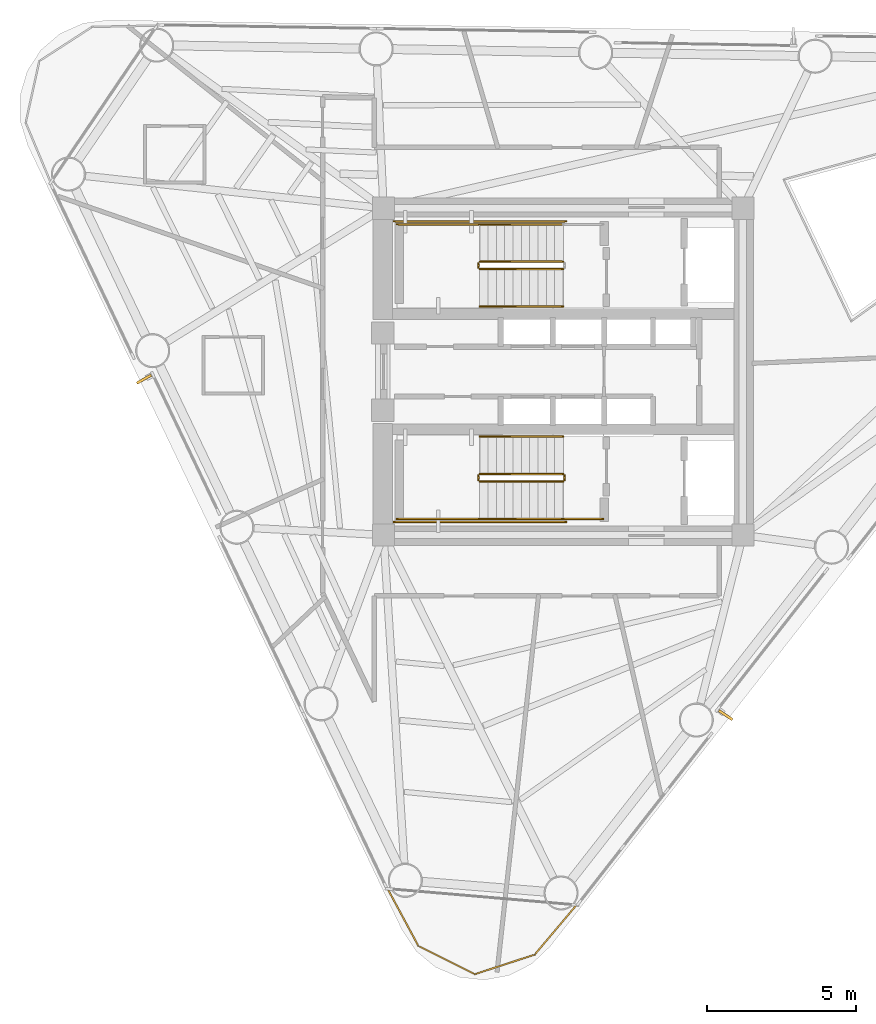
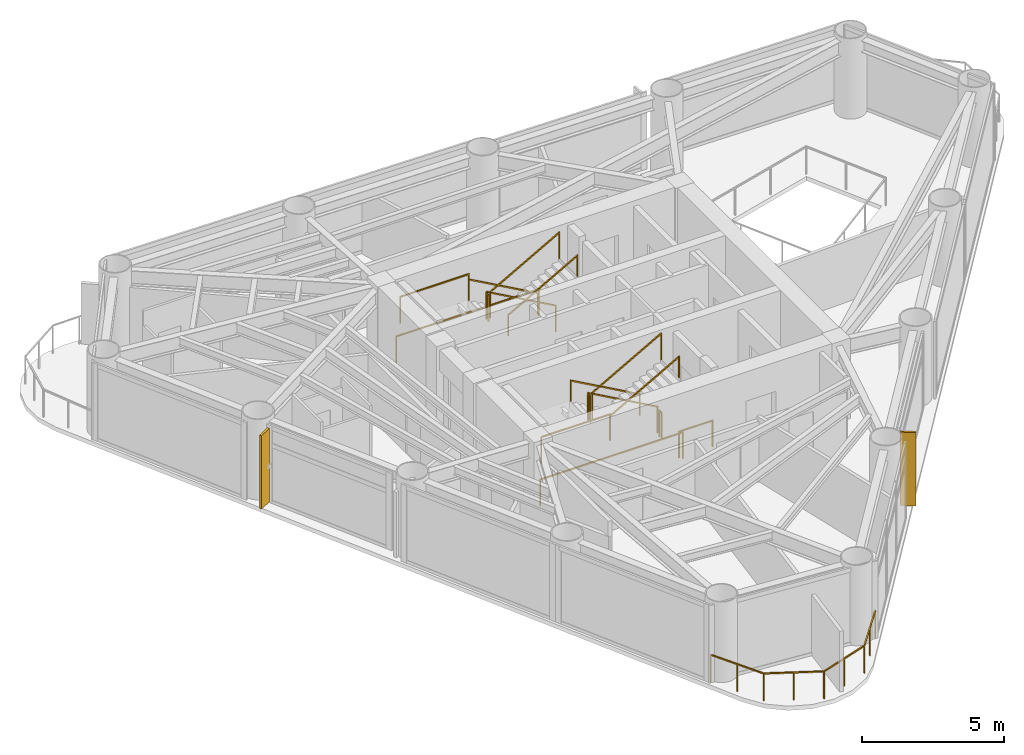
# One storey, part 7 of 9: 17 railings, 2 shading devices.
"""IFC4 building model written with IfcOpenShell, lengths in metres."""

from ifc_helpers import new_model, si_unit, direction, frame, origin, origin_2d, place, context, subcontext, project, spatial, rectangle, extrude, source, transform, mapped, material, material_profile, profile_set, type_object, element, save


model = new_model("IFC4")

# Units and contexts
model_context = context("Model", 3, precision=1e-05, world=origin(), true_north=direction((0.0, 1.0)))
body_context = subcontext(model_context, "Body", "Model", "MODEL_VIEW")
ifc_project = project(units=[si_unit("LENGTHUNIT", "METRE"), si_unit("AREAUNIT", "SQUARE_METRE"), si_unit("VOLUMEUNIT", "CUBIC_METRE"), si_unit("PLANEANGLEUNIT", "RADIAN"), si_unit("MASSUNIT", "GRAM", prefix="KILO")], contexts=[model_context])

# Site, building, storey
site_placement = place(None, origin())
site = spatial("IfcSite", under=ifc_project, at=site_placement, CompositionType="ELEMENT")
building_placement = place(site_placement, origin())
building = spatial("IfcBuilding", under=site, at=building_placement, Name="Yunling Apex Tower", CompositionType="ELEMENT")
storey_placement = place(building_placement, frame((0.0, 0.0, 205.25)))
storey = spatial("IfcBuildingStorey", under=building, at=storey_placement, Name="L50", CompositionType="ELEMENT", Elevation=205.25)

# Railings
ifc_material_1 = material(Name="Bronze anodised aluminium", Category="aluminium")
railing_type_1 = type_object("IfcRailingType", Name="RL-BAL-1200", PredefinedType="BALUSTRADE", material=ifc_material_1)
railing_1_placement = place(storey_placement, frame((0.4462890625, -17.9599609375, 0.0)))
element("IfcRailing", 1, at=railing_1_placement, inside=storey, type_object=railing_type_1, Name="RL-CRNSILL-L50-3", PredefinedType="BALUSTRADE", context=body_context, shape_type="SweptSolid", body=[
    extrude(rectangle(XDim=0.0439453125, YDim=0.0439453125, at=origin_2d()), origin(), (0.0, 0.0, 1.0), 1.199951171875),
    extrude(rectangle(XDim=0.0439453125, YDim=0.0439453125, at=origin_2d()), frame((-1.408447265625, -1.669189453125, 0.0)), (0.0, 0.0, 1.0), 1.199951171875),
    extrude(rectangle(XDim=0.050048828125, YDim=0.050048828125, at=origin_2d()), frame((-0.024658203125, -0.029296875, 1.1748046875), z_axis=(-0.644889304204, -0.764275987666, 0.0), x_axis=(0.764275987666, -0.644889304204, 0.0)), (0.0, 0.0, 1.0), 2.107421875),
    extrude(rectangle(XDim=0.0439453125, YDim=0.0439453125, at=origin_2d()), frame((-0.7041015625, -0.83447265625, 0.0)), (0.0, 0.0, 1.0), 1.14599609375),
    extrude(rectangle(XDim=0.0439453125, YDim=0.0439453125, at=origin_2d()), frame((-3.421875, -2.326416015625, 0.0)), (0.0, 0.0, 1.0), 1.199951171875),
    extrude(rectangle(XDim=0.050048828125, YDim=0.050048828125, at=origin_2d()), frame((-1.44482421875, -1.68115234375, 1.1748046875), z_axis=(-0.950635994022, -0.310308244926, 0.0), x_axis=(0.310308244926, -0.950635994022, 0.0)), (0.0, 0.0, 1.0), 2.041259765625),
    extrude(rectangle(XDim=0.0439453125, YDim=0.0439453125, at=origin_2d()), frame((-2.4150390625, -1.997802734375, 0.0)), (0.0, 0.0, 1.0), 1.14599609375),
    extrude(rectangle(XDim=0.0439453125, YDim=0.0439453125, at=origin_2d()), frame((-5.32275390625, -1.376708984375, 0.0)), (0.0, 0.0, 1.0), 1.199951171875),
    extrude(rectangle(XDim=0.050048828125, YDim=0.050048828125, at=origin_2d()), frame((-3.4560546875, -2.309326171875, 1.1748046875), z_axis=(-0.894565021347, 0.446937828543, 0.0), x_axis=(-0.446937828543, -0.894565021347, 0.0)), (0.0, 0.0, 1.0), 2.04833984375),
    extrude(rectangle(XDim=0.0439453125, YDim=0.0439453125, at=origin_2d()), frame((-4.372314453125, -1.8515625, 0.0)), (0.0, 0.0, 1.0), 1.14599609375),
    extrude(rectangle(XDim=0.0439453125, YDim=0.0439453125, at=origin_2d()), frame((-6.35791015625, 0.545654296875, 0.0)), (0.0, 0.0, 1.0), 1.199951171875),
    extrude(rectangle(XDim=0.050048828125, YDim=0.050048828125, at=origin_2d()), frame((-5.3408203125, -1.343017578125, 1.1748046875), z_axis=(-0.474113159208, 0.880463918775, 0.0), x_axis=(-0.880463918775, -0.474113159208, 0.0)), (0.0, 0.0, 1.0), 2.106689453125),
    extrude(rectangle(XDim=0.0439453125, YDim=0.0439453125, at=origin_2d()), frame((-5.84033203125, -0.41552734375, 0.0)), (0.0, 0.0, 1.0), 1.14599609375),
])
ifc_material_2 = material(Name="Steel Q355B", Category="steel")
railing_type_2 = type_object("IfcRailingType", Name="RL-GRD-1150", PredefinedType="GUARDRAIL", material=ifc_material_2)
railing_2_placement = place(storey_placement, frame((-0.010009765625, 3.699951171875, 0.15673828125)))
element("IfcRailing", 2, at=railing_2_placement, inside=storey, type_object=railing_type_2, Name="L50 ST-1 stair guard 1", PredefinedType="GUARDRAIL", context=body_context, shape_type="SweptSolid", body=[
    extrude(rectangle(XDim=0.0439453125, YDim=0.0439453125, at=origin_2d()), origin(), (0.0, 0.0, 1.0), 1.14990234375),
    extrude(rectangle(XDim=0.0439453125, YDim=0.0439453125, at=origin_2d()), frame((-2.800048828125, 0.0, 1.568359375)), (0.0, 0.0, 1.0), 1.14990234375),
    extrude(rectangle(XDim=0.050048828125, YDim=0.050048828125, at=origin_2d()), frame((-0.033447265625, 0.0, 1.1435546875), z_axis=(-0.872461907711, 0.0, 0.488682125306), x_axis=(0.0, -1.0, 0.0)), (0.0, 0.0, 1.0), 3.1328125),
])
railing_3_placement = place(storey_placement, frame((-2.860107421875, 3.64990234375, 1.72509765625)))
element("IfcRailing", 3, at=railing_3_placement, inside=storey, type_object=railing_type_2, Name="L50 ST-1 stair guard 2", PredefinedType="GUARDRAIL", context=body_context, shape_type="SweptSolid", body=[
    extrude(rectangle(XDim=0.0439453125, YDim=0.0439453125, at=origin_2d()), origin(), (0.0, 0.0, 1.0), 1.14990234375),
    extrude(rectangle(XDim=0.0439453125, YDim=0.0439453125, at=origin_2d()), frame((0.0, -0.14990234375, 0.0)), (0.0, 0.0, 1.0), 1.14990234375),
    extrude(rectangle(XDim=0.050048828125, YDim=0.050048828125, at=origin_2d()), frame((0.0, -0.038330078125, 1.125), z_axis=(0.0, -1.0, 0.0), x_axis=(1.0, 0.0, 0.0)), (0.0, 0.0, 1.0), 0.0732421875),
])
railing_4_placement = place(storey_placement, frame((-2.81005859375, 4.9599609375, 1.72509765625)))
element("IfcRailing", 4, at=railing_4_placement, inside=storey, type_object=railing_type_2, Name="L50 ST-1 stair guard 3", PredefinedType="GUARDRAIL", context=body_context, shape_type="SweptSolid", body=[
    extrude(rectangle(XDim=0.0439453125, YDim=0.0439453125, at=origin_2d()), origin(), (0.0, 0.0, 1.0), 1.14990234375),
    extrude(rectangle(XDim=0.0439453125, YDim=0.0439453125, at=origin_2d()), frame((-2.7900390625, 0.0, 0.0)), (0.0, 0.0, 1.0), 1.14990234375),
    extrude(rectangle(XDim=0.050048828125, YDim=0.050048828125, at=origin_2d()), frame((-0.038330078125, 0.0, 1.125), z_axis=(-1.0, 0.0, 0.0), x_axis=(0.0, -1.0, 0.0)), (0.0, 0.0, 1.0), 2.71337890625),
])
railing_5_placement = place(storey_placement, frame((-2.81005859375, 3.449951171875, 1.8818359375)))
element("IfcRailing", 5, at=railing_5_placement, inside=storey, type_object=railing_type_2, Name="L50 ST-1 stair guard 4", PredefinedType="GUARDRAIL", context=body_context, shape_type="SweptSolid", body=[
    extrude(rectangle(XDim=0.0439453125, YDim=0.0439453125, at=origin_2d()), origin(), (0.0, 0.0, 1.0), 1.14990234375),
    extrude(rectangle(XDim=0.0439453125, YDim=0.0439453125, at=origin_2d()), frame((2.800048828125, 0.0, 1.568115234375)), (0.0, 0.0, 1.0), 1.14990234375),
    extrude(rectangle(XDim=0.050048828125, YDim=0.050048828125, at=origin_2d()), frame((0.033447265625, 0.0, 1.1435546875), z_axis=(0.872494340497, 0.0, 0.48862421737), x_axis=(0.0, 1.0, 0.0)), (0.0, 0.0, 1.0), 3.132568359375),
])
railing_6_placement = place(storey_placement, frame((0.090087890625, 5.06005859375, 0.0)))
element("IfcRailing", 6, at=railing_6_placement, inside=storey, type_object=railing_type_2, Name="L50 ST-1 stair guard 7", PredefinedType="GUARDRAIL", context=body_context, shape_type="SweptSolid", body=[
    extrude(rectangle(XDim=0.0439453125, YDim=0.0439453125, at=origin_2d()), origin(), (0.0, 0.0, 1.0), 1.14990234375),
    extrude(rectangle(XDim=0.0439453125, YDim=0.0439453125, at=origin_2d()), frame((-5.7900390625, 0.0, 0.0)), (0.0, 0.0, 1.0), 1.14990234375),
    extrude(rectangle(XDim=0.050048828125, YDim=0.050048828125, at=origin_2d()), frame((-0.038330078125, 0.0, 1.125), z_axis=(-1.0, 0.0, 0.0), x_axis=(0.0, -1.0, 0.0)), (0.0, 0.0, 1.0), 5.71337890625),
])
railing_7_placement = place(storey_placement, frame((-0.010009765625, -3.449951171875, 0.15673828125)))
element("IfcRailing", 7, at=railing_7_placement, inside=storey, type_object=railing_type_2, Name="L50 ST-2 stair guard 1", PredefinedType="GUARDRAIL", context=body_context, shape_type="SweptSolid", body=[
    extrude(rectangle(XDim=0.0439453125, YDim=0.0439453125, at=origin_2d()), origin(), (0.0, 0.0, 1.0), 1.14990234375),
    extrude(rectangle(XDim=0.0439453125, YDim=0.0439453125, at=origin_2d()), frame((-2.800048828125, 0.0, 1.568359375)), (0.0, 0.0, 1.0), 1.14990234375),
    extrude(rectangle(XDim=0.050048828125, YDim=0.050048828125, at=origin_2d()), frame((-0.033447265625, 0.0, 1.1435546875), z_axis=(-0.872461907711, 0.0, 0.488682125306), x_axis=(0.0, -1.0, 0.0)), (0.0, 0.0, 1.0), 3.1328125),
])
railing_8_placement = place(storey_placement, frame((-2.860107421875, -3.5, 1.72509765625)))
element("IfcRailing", 8, at=railing_8_placement, inside=storey, type_object=railing_type_2, Name="L50 ST-2 stair guard 2", PredefinedType="GUARDRAIL", context=body_context, shape_type="SweptSolid", body=[
    extrude(rectangle(XDim=0.0439453125, YDim=0.0439453125, at=origin_2d()), origin(), (0.0, 0.0, 1.0), 1.14990234375),
    extrude(rectangle(XDim=0.0439453125, YDim=0.0439453125, at=origin_2d()), frame((0.0, -0.14990234375, 0.0)), (0.0, 0.0, 1.0), 1.14990234375),
    extrude(rectangle(XDim=0.050048828125, YDim=0.050048828125, at=origin_2d()), frame((0.0, -0.038330078125, 1.125), z_axis=(0.0, -1.0, 0.0), x_axis=(1.0, 0.0, 0.0)), (0.0, 0.0, 1.0), 0.0732421875),
])
railing_9_placement = place(storey_placement, frame((-2.81005859375, -4.9599609375, 1.72509765625)))
element("IfcRailing", 9, at=railing_9_placement, inside=storey, type_object=railing_type_2, Name="L50 ST-2 stair guard 3", PredefinedType="GUARDRAIL", context=body_context, shape_type="SweptSolid", body=[
    extrude(rectangle(XDim=0.0439453125, YDim=0.0439453125, at=origin_2d()), origin(), (0.0, 0.0, 1.0), 1.14990234375),
    extrude(rectangle(XDim=0.0439453125, YDim=0.0439453125, at=origin_2d()), frame((-2.7900390625, 0.0, 0.0)), (0.0, 0.0, 1.0), 1.14990234375),
    extrude(rectangle(XDim=0.050048828125, YDim=0.050048828125, at=origin_2d()), frame((-0.038330078125, 0.0, 1.125), z_axis=(-1.0, 0.0, 0.0), x_axis=(0.0, -1.0, 0.0)), (0.0, 0.0, 1.0), 2.71337890625),
])
railing_10_placement = place(storey_placement, frame((-2.81005859375, -3.699951171875, 1.8818359375)))
element("IfcRailing", 10, at=railing_10_placement, inside=storey, type_object=railing_type_2, Name="L50 ST-2 stair guard 4", PredefinedType="GUARDRAIL", context=body_context, shape_type="SweptSolid", body=[
    extrude(rectangle(XDim=0.0439453125, YDim=0.0439453125, at=origin_2d()), origin(), (0.0, 0.0, 1.0), 1.14990234375),
    extrude(rectangle(XDim=0.0439453125, YDim=0.0439453125, at=origin_2d()), frame((2.800048828125, 0.0, 1.568115234375)), (0.0, 0.0, 1.0), 1.14990234375),
    extrude(rectangle(XDim=0.050048828125, YDim=0.050048828125, at=origin_2d()), frame((0.033447265625, 0.0, 1.1435546875), z_axis=(0.872494340497, 0.0, 0.48862421737), x_axis=(0.0, 1.0, 0.0)), (0.0, 0.0, 1.0), 3.132568359375),
])
railing_11_placement = place(storey_placement, frame((0.0400390625, -3.5, 0.0)))
element("IfcRailing", 11, at=railing_11_placement, inside=storey, type_object=railing_type_2, Name="L50 ST-2 stair guard 5", PredefinedType="GUARDRAIL", context=body_context, shape_type="SweptSolid", body=[
    extrude(rectangle(XDim=0.0439453125, YDim=0.0439453125, at=origin_2d()), origin(), (0.0, 0.0, 1.0), 1.14990234375),
    extrude(rectangle(XDim=0.0439453125, YDim=0.0439453125, at=origin_2d()), frame((0.0, -0.14990234375, 0.0)), (0.0, 0.0, 1.0), 1.14990234375),
    extrude(rectangle(XDim=0.050048828125, YDim=0.050048828125, at=origin_2d()), frame((0.0, -0.038330078125, 1.125), z_axis=(0.0, -1.0, 0.0), x_axis=(1.0, 0.0, 0.0)), (0.0, 0.0, 1.0), 0.0732421875),
])
railing_12_placement = place(storey_placement, frame((1.35009765625, -4.9599609375, 0.0)))
element("IfcRailing", 12, at=railing_12_placement, inside=storey, type_object=railing_type_2, Name="L50 ST-2 stair guard 6", PredefinedType="GUARDRAIL", context=body_context, shape_type="SweptSolid", body=[
    extrude(rectangle(XDim=0.0439453125, YDim=0.0439453125, at=origin_2d()), origin(), (0.0, 0.0, 1.0), 1.14990234375),
    extrude(rectangle(XDim=0.0439453125, YDim=0.0439453125, at=origin_2d()), frame((-1.360107421875, 0.0, 0.0)), (0.0, 0.0, 1.0), 1.14990234375),
    extrude(rectangle(XDim=0.050048828125, YDim=0.050048828125, at=origin_2d()), frame((-0.038330078125, 0.0, 1.125), z_axis=(-1.0, 0.0, 0.0), x_axis=(0.0, -1.0, 0.0)), (0.0, 0.0, 1.0), 1.283447265625),
])
railing_13_placement = place(storey_placement, frame((0.090087890625, -5.06005859375, 0.0)))
element("IfcRailing", 13, at=railing_13_placement, inside=storey, type_object=railing_type_2, Name="L50 ST-2 stair guard 7", PredefinedType="GUARDRAIL", context=body_context, shape_type="SweptSolid", body=[
    extrude(rectangle(XDim=0.0439453125, YDim=0.0439453125, at=origin_2d()), origin(), (0.0, 0.0, 1.0), 1.14990234375),
    extrude(rectangle(XDim=0.0439453125, YDim=0.0439453125, at=origin_2d()), frame((-5.7900390625, 0.0, 0.0)), (0.0, 0.0, 1.0), 1.14990234375),
    extrude(rectangle(XDim=0.050048828125, YDim=0.050048828125, at=origin_2d()), frame((-0.038330078125, 0.0, 1.125), z_axis=(-1.0, 0.0, 0.0), x_axis=(0.0, -1.0, 0.0)), (0.0, 0.0, 1.0), 5.71337890625),
])
ifc_material_3 = material(Name="Silver anodised aluminium", Category="aluminium")
railing_type_3 = type_object("IfcRailingType", Name="RL-HND-900", PredefinedType="HANDRAIL", material=ifc_material_3)
railing_14_placement = place(storey_placement, frame((-0.010009765625, 4.9599609375, 0.15673828125)))
element("IfcRailing", 14, at=railing_14_placement, inside=storey, type_object=railing_type_3, Name="L50 ST-1 stair handrail 1", PredefinedType="HANDRAIL", context=body_context, shape_type="SweptSolid", body=[
    extrude(rectangle(XDim=0.0439453125, YDim=0.0439453125, at=origin_2d()), origin(), (0.0, 0.0, 1.0), 0.919921875),
    extrude(rectangle(XDim=0.0439453125, YDim=0.0439453125, at=origin_2d()), frame((-2.800048828125, 0.0, 1.568359375)), (0.0, 0.0, 1.0), 0.919921875),
    extrude(rectangle(XDim=0.050048828125, YDim=0.050048828125, at=origin_2d()), frame((-0.033447265625, 0.0, 0.91357421875), z_axis=(-0.872461907711, 0.0, 0.488682125306), x_axis=(0.0, -1.0, 0.0)), (0.0, 0.0, 1.0), 3.1328125),
])
railing_15_placement = place(storey_placement, frame((-2.81005859375, 2.18994140625, 1.8818359375)))
element("IfcRailing", 15, at=railing_15_placement, inside=storey, type_object=railing_type_3, Name="L50 ST-1 stair handrail 2", PredefinedType="HANDRAIL", context=body_context, shape_type="SweptSolid", body=[
    extrude(rectangle(XDim=0.0439453125, YDim=0.0439453125, at=origin_2d()), origin(), (0.0, 0.0, 1.0), 0.919921875),
    extrude(rectangle(XDim=0.0439453125, YDim=0.0439453125, at=origin_2d()), frame((2.800048828125, 0.0, 1.568115234375)), (0.0, 0.0, 1.0), 0.919921875),
    extrude(rectangle(XDim=0.050048828125, YDim=0.050048828125, at=origin_2d()), frame((0.033447265625, 0.0, 0.91357421875), z_axis=(0.872494340497, 0.0, 0.48862421737), x_axis=(0.0, 1.0, 0.0)), (0.0, 0.0, 1.0), 3.132568359375),
])
railing_16_placement = place(storey_placement, frame((-0.010009765625, -2.18994140625, 0.15673828125)))
element("IfcRailing", 16, at=railing_16_placement, inside=storey, type_object=railing_type_3, Name="L50 ST-2 stair handrail 1", PredefinedType="HANDRAIL", context=body_context, shape_type="SweptSolid", body=[
    extrude(rectangle(XDim=0.0439453125, YDim=0.0439453125, at=origin_2d()), origin(), (0.0, 0.0, 1.0), 0.919921875),
    extrude(rectangle(XDim=0.0439453125, YDim=0.0439453125, at=origin_2d()), frame((-2.800048828125, 0.0, 1.568359375)), (0.0, 0.0, 1.0), 0.919921875),
    extrude(rectangle(XDim=0.050048828125, YDim=0.050048828125, at=origin_2d()), frame((-0.033447265625, 0.0, 0.91357421875), z_axis=(-0.872461907711, 0.0, 0.488682125306), x_axis=(0.0, -1.0, 0.0)), (0.0, 0.0, 1.0), 3.1328125),
])
railing_17_placement = place(storey_placement, frame((-2.81005859375, -4.9599609375, 1.8818359375)))
element("IfcRailing", 17, at=railing_17_placement, inside=storey, type_object=railing_type_3, Name="L50 ST-2 stair handrail 2", PredefinedType="HANDRAIL", context=body_context, shape_type="SweptSolid", body=[
    extrude(rectangle(XDim=0.0439453125, YDim=0.0439453125, at=origin_2d()), origin(), (0.0, 0.0, 1.0), 0.919921875),
    extrude(rectangle(XDim=0.0439453125, YDim=0.0439453125, at=origin_2d()), frame((2.800048828125, 0.0, 1.568115234375)), (0.0, 0.0, 1.0), 0.919921875),
    extrude(rectangle(XDim=0.050048828125, YDim=0.050048828125, at=origin_2d()), frame((0.033447265625, 0.0, 0.91357421875), z_axis=(0.872494340497, 0.0, 0.48862421737), x_axis=(0.0, 1.0, 0.0)), (0.0, 0.0, 1.0), 3.132568359375),
])

# Shading devices
ifc_material_profile = material_profile(ifc_material_1, rectangle(XDim=0.0849609375, YDim=0.550048828125, at=origin_2d()))
ifc_profile_set = profile_set([ifc_material_profile], Name="Bronze anodised aluminium")
shading_device_type = type_object("IfcShadingDeviceType", Name="FN-BRZ-3", PredefinedType="USERDEFINED", material=ifc_profile_set)
shared_shape = source(origin(), body_context, "Body", "SweptSolid", [
    extrude(rectangle(XDim=0.0849609375, YDim=0.550048828125, at=origin_2d()), origin(), (0.0, 0.0, 1.0), 3.14990234375),
])
for number, where, z_axis, x_axis, name in (
    (18, (5.468505859375, -11.565185546875, 0.06005859375), (0.0, 0.0, 1.0), (0.563381859003, 0.826196635763, 0.0), "CW-L50-F1-B2-FIN-01"),
    (19, (-14.113037109375, -0.254150390625, 0.06005859375), (0.0, 0.0, 1.0), (0.488621241497, -0.872496007073, 0.0), "CW-L50-F3-B2-FIN-01"),
):
    element("IfcShadingDevice", number, at=place(storey_placement, frame(where, z_axis=z_axis, x_axis=x_axis)), inside=storey, type_object=shading_device_type, Name=name, ObjectType="FIN", PredefinedType="USERDEFINED", context=body_context, shape_type="MappedRepresentation", body=[
        mapped(shared_shape, transform((0.0, 0.0, 0.0), scale=1.0)),
    ])

save(model, "model.ifc")
